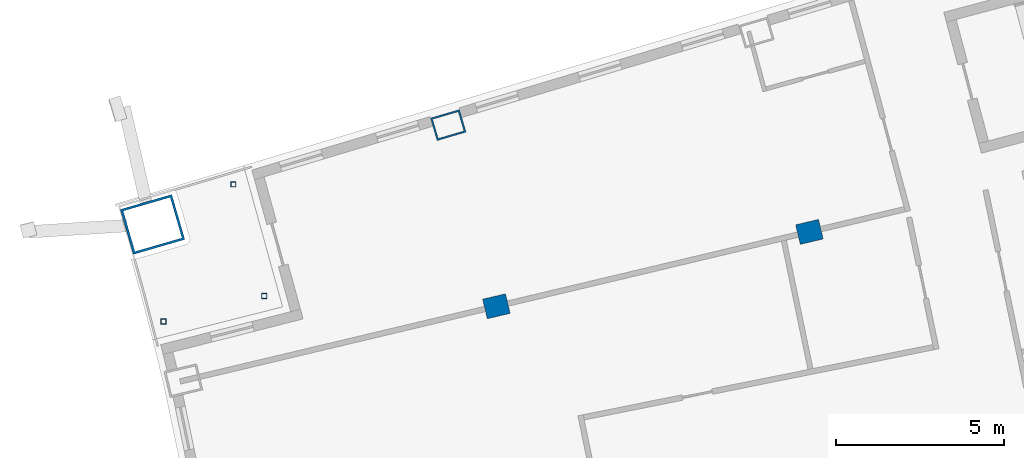
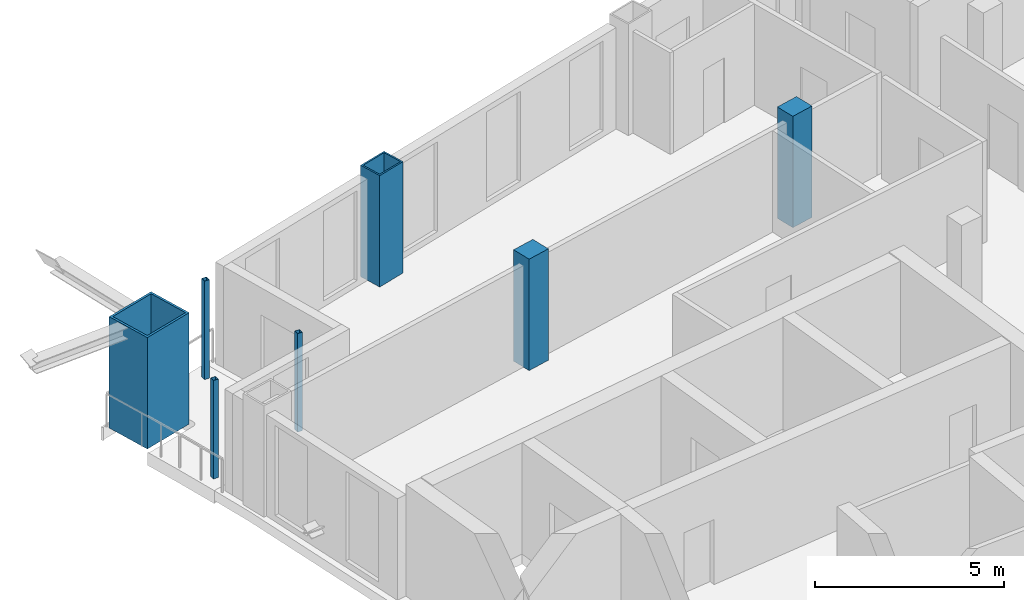
# One storey, part 5 of 20: 7 columns.
"""IFC4 building model written with IfcOpenShell, lengths in metres."""

from ifc_helpers import new_model, si_unit, direction, frame, origin, origin_2d, place, context, subcontext, project, spatial, rectangle, hollow_rectangle, extrude, material, material_profile, profile_set, type_object, element, save


model = new_model("IFC4")

# Units and contexts
model_context = context("Model", 3, precision=1e-05, world=origin(), true_north=direction((0.0, 1.0)))
body_context = subcontext(model_context, "Body", "Model", "MODEL_VIEW")
ifc_project = project(units=[si_unit("LENGTHUNIT", "METRE"), si_unit("AREAUNIT", "SQUARE_METRE"), si_unit("VOLUMEUNIT", "CUBIC_METRE"), si_unit("PLANEANGLEUNIT", "RADIAN"), si_unit("MASSUNIT", "GRAM", prefix="KILO")], contexts=[model_context])

# Site, building, storey
site_placement = place(None, origin())
site = spatial("IfcSite", under=ifc_project, at=site_placement, CompositionType="ELEMENT")
building_placement = place(site_placement, origin())
building = spatial("IfcBuilding", under=site, at=building_placement, Name="Alderwake Tower", CompositionType="ELEMENT")
storey_placement = place(building_placement, frame((0.0, 0.0, 263.60009765625)))
storey = spatial("IfcBuildingStorey", under=building, at=storey_placement, Name="L65", CompositionType="ELEMENT", Elevation=263.60009765625)

# Columns
ifc_material_1 = material(Name="Steel ASTM A572 Grade 50 concrete filled C70/85", Category="concrete")
ifc_material_profile_1 = material_profile(ifc_material_1, hollow_rectangle(XDim=0.699951171875, YDim=0.89990234375, WallThickness=0.050048828125, at=origin_2d()), Name="BOX 900X700X50")
ifc_profile_set_1 = profile_set([ifc_material_profile_1], Name="Steel ASTM A572 Grade 50 concrete filled C70/85")
column_type_1 = type_object("IfcColumnType", Name="End column Z5", PredefinedType="COLUMN", material=ifc_profile_set_1)
column_1_placement = place(storey_placement, frame((21.885498046875, 90.96240234375, 0.0), z_axis=(0.0, 0.0, 1.0), x_axis=(-0.282132160283, 0.95937554906, 0.0)))
element("IfcColumn", 1, at=column_1_placement, inside=storey, type_object=column_type_1, Name="Column R12-C1", PredefinedType="COLUMN", context=body_context, shape_type="SweptSolid", body=[
    extrude(hollow_rectangle(XDim=0.699951171875, YDim=0.89990234375, WallThickness=0.050048828125, at=origin_2d()), origin(), (0.0, 0.0, 1.0), 3.599853515625),
])
ifc_material_2 = material(Name="Concrete C70/85", Category="concrete")
ifc_material_profile_2 = material_profile(ifc_material_2, rectangle(XDim=0.60009765625, YDim=0.699951171875, at=origin_2d()), Name="RC 700X600")
ifc_profile_set_2 = profile_set([ifc_material_profile_2], Name="Concrete C70/85")
column_type_2 = type_object("IfcColumnType", Name="Interior column Z5", PredefinedType="COLUMN", material=ifc_profile_set_2)
for number, where, z_axis, x_axis, name in (
    (2, (23.322021484375, 85.555908203125, 0.0), (0.0, 0.0, 1.0), (-0.231221547198, 0.972901123502, 0.0), "Column R11-C1"),
    (3, (32.661865234375, 87.775390625, 0.0), (0.0, 0.0, 1.0), (-0.231221547198, 0.972901123502, 0.0), "Column R11-C2"),
):
    element("IfcColumn", number, at=place(storey_placement, frame(where, z_axis=z_axis, x_axis=x_axis)), inside=storey, type_object=column_type_2, Name=name, PredefinedType="COLUMN", context=body_context, shape_type="SweptSolid", body=[
        extrude(rectangle(XDim=0.60009765625, YDim=0.699951171875, at=origin_2d()), origin(), (0.0, 0.0, 1.0), 3.599853515625),
    ])
ifc_material_3 = material(Name="Steel ASTM A500 Grade C", Category="steel")
ifc_material_profile_3 = material_profile(ifc_material_3, hollow_rectangle(XDim=0.15234375, YDim=0.15234375, WallThickness=0.0087890625, at=origin_2d()), Name="HSS6X6X3/8")
ifc_profile_set_3 = profile_set([ifc_material_profile_3], Name="Steel ASTM A500 Grade C")
column_type_3 = type_object("IfcColumnType", Name="Light post HSS6X6X3/8", PredefinedType="COLUMN", material=ifc_profile_set_3)
for number, where, z_axis, x_axis, name in (
    (4, (13.3896484375, 85.103515625, 0.0), (0.0, 0.0, 1.0), (1.0, 0.0, 0.0), "Terrace post RN1"),
    (5, (15.47412109375, 89.194091796875, 0.0), (0.0, 0.0, 1.0), (1.0, 0.0, 0.0), "Terrace post RN2"),
    (6, (16.39501953125, 85.864013671875, 0.0), (0.0, 0.0, 1.0), (1.0, 0.0, 0.0), "Terrace post RN3"),
):
    element("IfcColumn", number, at=place(storey_placement, frame(where, z_axis=z_axis, x_axis=x_axis)), inside=storey, type_object=column_type_3, Name=name, PredefinedType="COLUMN", context=body_context, shape_type="SweptSolid", body=[
        extrude(hollow_rectangle(XDim=0.15234375, YDim=0.15234375, WallThickness=0.0087890625, at=origin_2d()), origin(), (0.0, 0.0, 1.0), 3.179931640625),
    ])
ifc_material_4 = material(Name="Steel ASTM A572 Grade 50 concrete filled C70/85", Category="concrete")
ifc_material_profile_4 = material_profile(ifc_material_4, hollow_rectangle(XDim=1.39990234375, YDim=1.60009765625, WallThickness=0.070068359375, at=origin_2d()), Name="BOX 1600X1400X70")
ifc_profile_set_4 = profile_set([ifc_material_profile_4], Name="Steel ASTM A572 Grade 50 concrete filled C70/85")
column_type_4 = type_object("IfcColumnType", Name="Mega column Z5", PredefinedType="COLUMN", material=ifc_profile_set_4)
column_2_placement = place(storey_placement, frame((13.06298828125, 87.99755859375, 0.0), z_axis=(0.0, 0.0, 1.0), x_axis=(-0.278612301868, 0.960403657452, 0.0)))
element("IfcColumn", 7, at=column_2_placement, inside=storey, type_object=column_type_4, Name="Column R12-C0", PredefinedType="COLUMN", context=body_context, shape_type="SweptSolid", body=[
    extrude(hollow_rectangle(XDim=1.39990234375, YDim=1.60009765625, WallThickness=0.070068359375, at=origin_2d()), origin(), (0.0, 0.0, 1.0), 3.599853515625),
])

save(model, "model.ifc")
